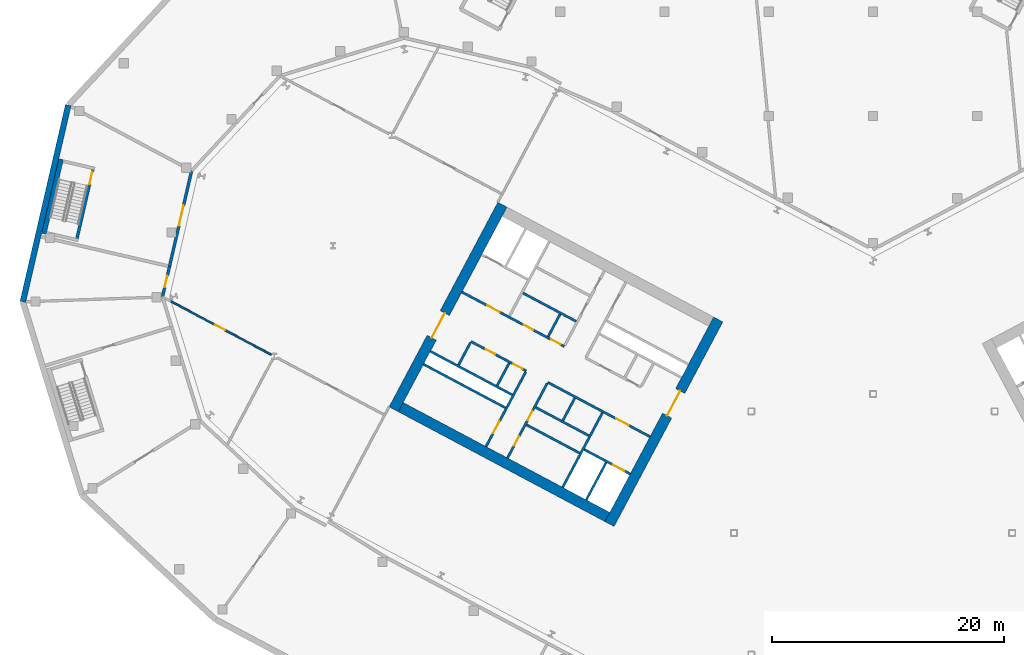
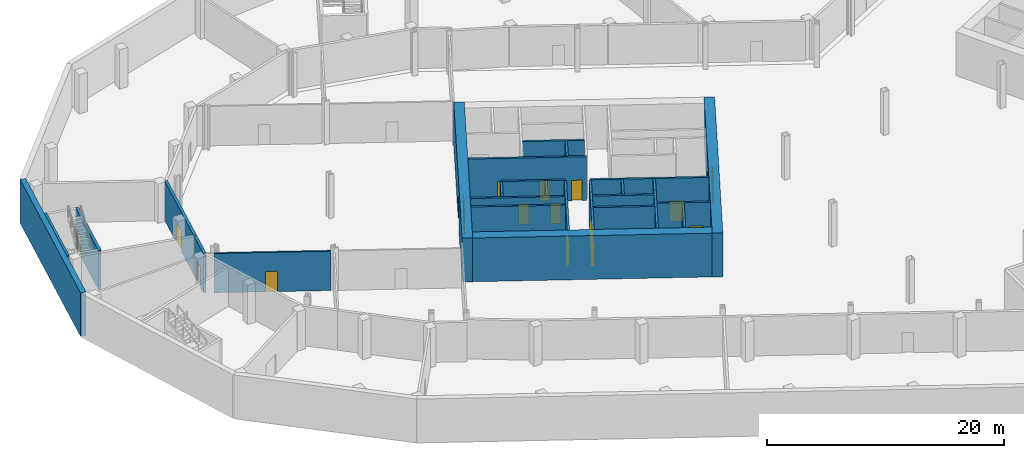
# One storey, part 9 of 27: 26 walls, 16 doors, 16 openings.
"""IFC4 building model written with IfcOpenShell, lengths in metres."""

from ifc_helpers import new_model, si_unit, direction, frame, frame_2d, origin, place, context, subcontext, project, spatial, rectangle, extrude, material, layer, layer_set, type_object, element, fill, save


model = new_model("IFC4")

# Units and contexts
model_context = context("Model", 3, precision=1e-05, world=origin(), true_north=direction((0.0, 1.0)))
body_context = subcontext(model_context, "Body", "Model", "MODEL_VIEW")
ifc_project = project(units=[si_unit("LENGTHUNIT", "METRE"), si_unit("AREAUNIT", "SQUARE_METRE"), si_unit("VOLUMEUNIT", "CUBIC_METRE"), si_unit("PLANEANGLEUNIT", "RADIAN"), si_unit("MASSUNIT", "GRAM", prefix="KILO")], contexts=[model_context])

# Site, building, storey
site_placement = place(None, origin())
site = spatial("IfcSite", under=ifc_project, at=site_placement, CompositionType="ELEMENT")
building_placement = place(site_placement, origin())
building = spatial("IfcBuilding", under=site, at=building_placement, Name="Cormorant Relay Tower", CompositionType="ELEMENT")
storey_placement = place(building_placement, frame((0.0, 0.0, -4.5)))
storey = spatial("IfcBuildingStorey", under=building, at=storey_placement, Name="B1", CompositionType="ELEMENT", Elevation=-4.5)

# Walls
ifc_material_1 = material(Name="Concrete 40 MPa", Category="concrete")
ifc_layer_1 = layer(ifc_material_1, 0.199951171875)
ifc_layer_set_1 = layer_set([ifc_layer_1], Name="Core internal wall 200")
wall_type_1 = type_object("IfcWallType", Name="Core internal wall 200", PredefinedType="SOLIDWALL", material=ifc_layer_set_1)
wall_1_placement = place(storey_placement, frame((-25.744140625, 11.64990234375, 0.0), z_axis=(0.0, 0.0, 1.0), x_axis=(-0.469487830541, -0.882938942948, 0.0)))
element("IfcWall", 1, at=wall_1_placement, inside=storey, type_object=wall_type_1, Name="B1 core A shaft and room wall", PredefinedType="SOLIDWALL", context=body_context, shape_type="SweptSolid", body=[
    extrude(rectangle(XDim=2.2001953125, YDim=0.199951171875, at=frame_2d((1.10009765625, 0.0))), origin(), (0.0, 0.0, 1.0), 4.5),
])
for number, where, z_axis, x_axis, name in (
    (2, (-27.01220703125, 18.892822265625, 0.0), (0.0, 0.0, 1.0), (-0.4694473164, -0.882960484464, 0.0), "B1 core A shaft and room wall"),
    (3, (-31.41259765625, 14.663818359375, 0.0), (0.0, 0.0, 1.0), (-0.469533832133, -0.882914480843, 0.0), "B1 core A shaft and room wall"),
):
    element("IfcWall", number, at=place(storey_placement, frame(where, z_axis=z_axis, x_axis=x_axis)), inside=storey, type_object=wall_type_1, Name=name, PredefinedType="SOLIDWALL", context=body_context, shape_type="SweptSolid", body=[
        extrude(rectangle(XDim=2.199951171875, YDim=0.199951171875, at=frame_2d((1.10009765625, 0.0))), origin(), (0.0, 0.0, 1.0), 4.5),
    ])
wall_2_placement = place(storey_placement, frame((-25.326416015625, 6.8974609375, 0.0), z_axis=(0.0, 0.0, 1.0), x_axis=(-0.882953967957, 0.469459572775, 0.0)))
element("IfcWall", 4, at=wall_2_placement, inside=storey, type_object=wall_type_1, Name="B1 core A shaft and room wall", PredefinedType="SOLIDWALL", context=body_context, shape_type="SweptSolid", body=[
    extrude(rectangle(XDim=5.199951171875, YDim=0.199951171875, at=frame_2d((2.60009765625, 0.0))), origin(), (0.0, 0.0, 1.0), 4.5),
])
ifc_material_2 = material(Name="Concrete 50 MPa", Category="concrete")
ifc_layer_2 = layer(ifc_material_2, 0.199951171875)
ifc_layer_set_2 = layer_set([ifc_layer_2], Name="Core shaft wall 200")
wall_type_2 = type_object("IfcWallType", Name="Core shaft wall 200", PredefinedType="SHEAR", material=ifc_layer_set_2)
wall_3_placement = place(storey_placement, frame((-23.04296875, 6.07958984375, 0.0), z_axis=(0.0, 0.0, 1.0), x_axis=(-0.469494272526, -0.882935517501, 0.0)))
element("IfcWall", 5, at=wall_3_placement, inside=storey, type_object=wall_type_2, Name="B1 core A shaft wall", PredefinedType="SHEAR", context=body_context, shape_type="SweptSolid", body=[
    extrude(rectangle(XDim=3.64990234375, YDim=0.199951171875, at=frame_2d((1.824951171875, 0.0))), origin(), (0.0, 0.0, 1.0), 4.5),
])
wall_4_placement = place(storey_placement, frame((-23.360107421875, 10.38232421875, 0.0), z_axis=(0.0, 0.0, 1.0), x_axis=(-0.469480409012, -0.88294288918, 0.0)))
element("IfcWall", 6, at=wall_4_placement, inside=storey, type_object=wall_type_2, Name="B1 core A shaft wall", PredefinedType="SHEAR", context=body_context, shape_type="SweptSolid", body=[
    extrude(rectangle(XDim=7.300048828125, YDim=0.199951171875, at=frame_2d((3.64990234375, 0.0))), origin(), (0.0, 0.0, 1.0), 4.5),
])

# Wall, openings, doors
wall_5_placement = place(storey_placement, frame((-28.128173828125, 12.91748046875, 0.0), z_axis=(0.0, 0.0, 1.0), x_axis=(-0.469454336211, -0.882956752176, 0.0)))
wall_5 = element("IfcWall", 7, at=wall_5_placement, inside=storey, type_object=wall_type_2, Name="B1 core A shaft wall", PredefinedType="SHEAR", context=body_context, shape_type="SweptSolid", body=[
    extrude(rectangle(XDim=7.300048828125, YDim=0.199951171875, at=frame_2d((3.64990234375, 0.0))), origin(), (0.0, 0.0, 1.0), 4.5),
])
opening_1_placement = place(wall_5_placement, frame((2.699951171875, 0.0, 0.0)))
opening_1 = element("IfcOpeningElement", 8, at=opening_1_placement, cuts=wall_5, Name="Opening CDD-025", PredefinedType="OPENING", context=body_context, shape_type="SweptSolid", body=[
    extrude(rectangle(XDim=0.89990234375, YDim=2.10009765625, at=frame_2d((0.449951171875, 1.050048828125))), frame((0.0, 0.10986328125, 0.0), z_axis=(0.0, -1.0, 0.0), x_axis=(1.0, 0.0, 0.0)), (0.0, 0.0, 1.0), 0.219970703125),
])
opening_2_placement = place(wall_5_placement, frame((5.199951171875, 0.0, 0.0)))
opening_2 = element("IfcOpeningElement", 9, at=opening_2_placement, cuts=wall_5, Name="Opening CDD-026", PredefinedType="OPENING", context=body_context, shape_type="SweptSolid", body=[
    extrude(rectangle(XDim=0.89990234375, YDim=2.10009765625, at=frame_2d((0.449951171875, 1.050048828125))), frame((0.0, 0.10986328125, 0.0), z_axis=(0.0, -1.0, 0.0), x_axis=(1.0, 0.0, 0.0)), (0.0, 0.0, 1.0), 0.219970703125),
])
ifc_material_3 = material(Name="Steel fire door", Category="steel")
door_type_1 = type_object("IfcDoorType", Name="Core room door 900x2100", OperationType="SINGLE_SWING_LEFT", PredefinedType="DOOR", material=ifc_material_3)
door_1_placement = place(opening_1_placement, origin())
door_1 = element("IfcDoor", 10, at=door_1_placement, inside=storey, type_object=door_type_1, Name="Core room door 900x2100", OperationType="SINGLE_SWING_LEFT", OverallHeight=2.10009765625, OverallWidth=0.89990234375, PredefinedType="DOOR", context=body_context, shape_type="SweptSolid", body=[
    extrude(rectangle(XDim=0.89990234375, YDim=2.10009765625, at=frame_2d((0.449951171875, 1.050048828125))), frame((0.0, 0.02490234375, 0.0), z_axis=(0.0, -1.0, 0.0), x_axis=(1.0, 0.0, 0.0)), (0.0, 0.0, 1.0), 0.050048828125),
])
fill(opening_1, door_1)
door_2_placement = place(opening_2_placement, origin())
door_2 = element("IfcDoor", 11, at=door_2_placement, inside=storey, type_object=door_type_1, Name="Core room door 900x2100", OperationType="SINGLE_SWING_LEFT", OverallHeight=2.10009765625, OverallWidth=0.89990234375, PredefinedType="DOOR", context=body_context, shape_type="SweptSolid", body=[
    extrude(rectangle(XDim=0.89990234375, YDim=2.10009765625, at=frame_2d((0.449951171875, 1.050048828125))), frame((0.0, 0.02490234375, 0.0), z_axis=(0.0, -1.0, 0.0), x_axis=(1.0, 0.0, 0.0)), (0.0, 0.0, 1.0), 0.050048828125),
])
fill(opening_2, door_2)

# Wall, opening, door
wall_6_placement = place(storey_placement, frame((-29.982421875, 13.9033203125, 0.0), z_axis=(0.0, 0.0, 1.0), x_axis=(-0.469454336211, -0.882956752176, 0.0)))
wall_6 = element("IfcWall", 12, at=wall_6_placement, inside=storey, type_object=wall_type_2, Name="B1 core A shaft wall", PredefinedType="SHEAR", context=body_context, shape_type="SweptSolid", body=[
    extrude(rectangle(XDim=7.300048828125, YDim=0.199951171875, at=frame_2d((3.64990234375, 0.0))), origin(), (0.0, 0.0, 1.0), 4.5),
])
opening_3_placement = place(wall_6_placement, frame((4.800048828125, 0.0, 0.0)))
opening_3 = element("IfcOpeningElement", 13, at=opening_3_placement, cuts=wall_6, Name="Opening CDB-002", PredefinedType="OPENING", context=body_context, shape_type="SweptSolid", body=[
    extrude(rectangle(XDim=1.199951171875, YDim=2.10009765625, at=frame_2d((0.60009765625, 1.050048828125))), frame((0.0, 0.10986328125, 0.0), z_axis=(0.0, -1.0, 0.0), x_axis=(1.0, 0.0, 0.0)), (0.0, 0.0, 1.0), 0.219970703125),
])
ifc_material_4 = material(Name="Steel fire door", Category="steel")
door_type_2 = type_object("IfcDoorType", Name="Core stair door 1200x2100", OperationType="SINGLE_SWING_LEFT", PredefinedType="DOOR", material=ifc_material_4)
door_3_placement = place(opening_3_placement, frame((1.199951171875, 0.0, 0.0), z_axis=(0.0, 0.0, 1.0), x_axis=(-1.0, 0.0, 0.0)))
door_3 = element("IfcDoor", 14, at=door_3_placement, inside=storey, type_object=door_type_2, Name="Core stair door 1200x2100", OperationType="SINGLE_SWING_RIGHT", OverallHeight=2.10009765625, OverallWidth=1.199951171875, PredefinedType="DOOR", context=body_context, shape_type="SweptSolid", body=[
    extrude(rectangle(XDim=1.199951171875, YDim=2.10009765625, at=frame_2d((0.60009765625, 1.050048828125))), frame((0.0, 0.02490234375, 0.0), z_axis=(0.0, -1.0, 0.0), x_axis=(1.0, 0.0, 0.0)), (0.0, 0.0, 1.0), 0.050048828125),
])
fill(opening_3, door_3)

# Walls
wall_7_placement = place(storey_placement, frame((-34.750244140625, 16.4384765625, 0.0), z_axis=(0.0, 0.0, 1.0), x_axis=(-0.469401318492, -0.882984938828, 0.0)))
element("IfcWall", 15, at=wall_7_placement, inside=storey, type_object=wall_type_2, Name="B1 core A shaft wall", PredefinedType="SHEAR", context=body_context, shape_type="SweptSolid", body=[
    extrude(rectangle(XDim=2.199951171875, YDim=0.199951171875, at=frame_2d((1.10009765625, 0.0))), origin(), (0.0, 0.0, 1.0), 4.5),
])
wall_8_placement = place(storey_placement, frame((-25.623046875, 18.267578125, 0.0), z_axis=(0.0, 0.0, 1.0), x_axis=(-0.882953967957, 0.469459572775, 0.0)))
element("IfcWall", 16, at=wall_8_placement, inside=storey, type_object=wall_type_2, Name="B1 core A shaft wall", PredefinedType="SHEAR", context=body_context, shape_type="SweptSolid", body=[
    extrude(rectangle(XDim=5.199951171875, YDim=0.199951171875, at=frame_2d((2.60009765625, 0.0))), origin(), (0.0, 0.0, 1.0), 4.5),
])

# Wall, openings, doors
wall_9_placement = place(storey_placement, frame((-26.66162109375, 16.1015625, 0.0), z_axis=(0.0, 0.0, 1.0), x_axis=(-0.882940221191, 0.469485426614, 0.0)))
wall_9 = element("IfcWall", 17, at=wall_9_placement, inside=storey, type_object=wall_type_2, Name="B1 core A shaft wall", PredefinedType="SHEAR", context=body_context, shape_type="SweptSolid", body=[
    extrude(rectangle(XDim=10.0, YDim=0.199951171875, at=frame_2d((5.0, 0.0))), origin(), (0.0, 0.0, 1.0), 4.5),
])
opening_4_placement = place(wall_9_placement, frame((6.300048828125, 0.0, 0.0)))
opening_4 = element("IfcOpeningElement", 18, at=opening_4_placement, cuts=wall_9, Name="Opening CDC-002", PredefinedType="OPENING", context=body_context, shape_type="SweptSolid", body=[
    extrude(rectangle(XDim=1.199951171875, YDim=2.10009765625, at=frame_2d((0.60009765625, 1.050048828125))), frame((0.0, 0.10986328125, 0.0), z_axis=(0.0, -1.0, 0.0), x_axis=(1.0, 0.0, 0.0)), (0.0, 0.0, 1.0), 0.219970703125),
])
opening_5_placement = place(wall_9_placement, frame((0.360107421875, 0.0, 0.0)))
opening_5 = element("IfcOpeningElement", 19, at=opening_5_placement, cuts=wall_9, Name="Opening CDD-023", PredefinedType="OPENING", context=body_context, shape_type="SweptSolid", body=[
    extrude(rectangle(XDim=0.89990234375, YDim=2.10009765625, at=frame_2d((0.449951171875, 1.050048828125))), frame((0.0, 0.10986328125, 0.0), z_axis=(0.0, -1.0, 0.0), x_axis=(1.0, 0.0, 0.0)), (0.0, 0.0, 1.0), 0.219970703125),
])
opening_6_placement = place(wall_9_placement, frame((3.06005859375, 0.0, 0.0)))
opening_6 = element("IfcOpeningElement", 20, at=opening_6_placement, cuts=wall_9, Name="Opening CDD-024", PredefinedType="OPENING", context=body_context, shape_type="SweptSolid", body=[
    extrude(rectangle(XDim=0.89990234375, YDim=2.10009765625, at=frame_2d((0.449951171875, 1.050048828125))), frame((0.0, 0.10986328125, 0.0), z_axis=(0.0, -1.0, 0.0), x_axis=(1.0, 0.0, 0.0)), (0.0, 0.0, 1.0), 0.219970703125),
])
ifc_material_5 = material(Name="Steel fire door", Category="steel")
door_type_3 = type_object("IfcDoorType", Name="Core lobby door 1200x2100", OperationType="SINGLE_SWING_LEFT", PredefinedType="DOOR", material=ifc_material_5)
door_4_placement = place(opening_4_placement, frame((1.199951171875, 0.0, 0.0), z_axis=(0.0, 0.0, 1.0), x_axis=(-1.0, 0.0, 0.0)))
door_4 = element("IfcDoor", 21, at=door_4_placement, inside=storey, type_object=door_type_3, Name="Core lobby door 1200x2100", OperationType="SINGLE_SWING_RIGHT", OverallHeight=2.10009765625, OverallWidth=1.199951171875, PredefinedType="DOOR", context=body_context, shape_type="SweptSolid", body=[
    extrude(rectangle(XDim=1.199951171875, YDim=2.10009765625, at=frame_2d((0.60009765625, 1.050048828125))), frame((0.0, 0.02490234375, 0.0), z_axis=(0.0, -1.0, 0.0), x_axis=(1.0, 0.0, 0.0)), (0.0, 0.0, 1.0), 0.050048828125),
])
fill(opening_4, door_4)
door_5_placement = place(opening_5_placement, frame((0.89990234375, 0.0, 0.0), z_axis=(0.0, 0.0, 1.0), x_axis=(-1.0, 0.0, 0.0)))
door_5 = element("IfcDoor", 22, at=door_5_placement, inside=storey, type_object=door_type_1, Name="Core room door 900x2100", OperationType="SINGLE_SWING_RIGHT", OverallHeight=2.10009765625, OverallWidth=0.89990234375, PredefinedType="DOOR", context=body_context, shape_type="SweptSolid", body=[
    extrude(rectangle(XDim=0.89990234375, YDim=2.10009765625, at=frame_2d((0.449951171875, 1.050048828125))), frame((0.0, 0.02490234375, 0.0), z_axis=(0.0, -1.0, 0.0), x_axis=(1.0, 0.0, 0.0)), (0.0, 0.0, 1.0), 0.050048828125),
])
fill(opening_5, door_5)
door_6_placement = place(opening_6_placement, frame((0.89990234375, 0.0, 0.0), z_axis=(0.0, 0.0, 1.0), x_axis=(-1.0, 0.0, 0.0)))
door_6 = element("IfcDoor", 23, at=door_6_placement, inside=storey, type_object=door_type_1, Name="Core room door 900x2100", OperationType="SINGLE_SWING_RIGHT", OverallHeight=2.10009765625, OverallWidth=0.89990234375, PredefinedType="DOOR", context=body_context, shape_type="SweptSolid", body=[
    extrude(rectangle(XDim=0.89990234375, YDim=2.10009765625, at=frame_2d((0.449951171875, 1.050048828125))), frame((0.0, 0.02490234375, 0.0), z_axis=(0.0, -1.0, 0.0), x_axis=(1.0, 0.0, 0.0)), (0.0, 0.0, 1.0), 0.050048828125),
])
fill(opening_6, door_6)

# Wall, opening, door
wall_10_placement = place(storey_placement, frame((-19.251708984375, 8.31103515625, 0.0), z_axis=(0.0, 0.0, 1.0), x_axis=(-0.882955722218, 0.469456273365, 0.0)))
wall_10 = element("IfcWall", 24, at=wall_10_placement, inside=storey, type_object=wall_type_2, Name="B1 core A shaft wall", PredefinedType="SHEAR", context=body_context, shape_type="SweptSolid", body=[
    extrude(rectangle(XDim=10.0, YDim=0.199951171875, at=frame_2d((5.0, 0.0))), origin(), (0.0, 0.0, 1.0), 4.5),
])
opening_7_placement = place(wall_10_placement, frame((2.10009765625, 0.0, 0.0)))
opening_7 = element("IfcOpeningElement", 25, at=opening_7_placement, cuts=wall_10, Name="Opening CDC-001", PredefinedType="OPENING", context=body_context, shape_type="SweptSolid", body=[
    extrude(rectangle(XDim=1.199951171875, YDim=2.10009765625, at=frame_2d((0.60009765625, 1.050048828125))), frame((0.0, 0.10986328125, 0.0), z_axis=(0.0, -1.0, 0.0), x_axis=(1.0, 0.0, 0.0)), (0.0, 0.0, 1.0), 0.219970703125),
])
door_7_placement = place(opening_7_placement, origin())
door_7 = element("IfcDoor", 26, at=door_7_placement, inside=storey, type_object=door_type_3, Name="Core lobby door 1200x2100", OperationType="SINGLE_SWING_RIGHT", OverallHeight=2.10009765625, OverallWidth=1.199951171875, PredefinedType="DOOR", context=body_context, shape_type="SweptSolid", body=[
    extrude(rectangle(XDim=1.199951171875, YDim=2.10009765625, at=frame_2d((0.60009765625, 1.050048828125))), frame((0.0, 0.02490234375, 0.0), z_axis=(0.0, -1.0, 0.0), x_axis=(1.0, 0.0, 0.0)), (0.0, 0.0, 1.0), 0.050048828125),
])
fill(opening_7, door_7)

# Wall, openings, doors
wall_11_placement = place(storey_placement, frame((-29.935302734375, 13.991455078125, 0.0), z_axis=(0.0, 0.0, 1.0), x_axis=(-0.882952937579, 0.469461510692, 0.0)))
wall_11 = element("IfcWall", 27, at=wall_11_placement, inside=storey, type_object=wall_type_2, Name="B1 core A shaft wall", PredefinedType="SHEAR", context=body_context, shape_type="SweptSolid", body=[
    extrude(rectangle(XDim=5.400146484375, YDim=0.199951171875, at=frame_2d((2.7001953125, 0.0))), origin(), (0.0, 0.0, 1.0), 4.5),
])
opening_8_placement = place(wall_11_placement, frame((0.360107421875, 0.0, 0.0)))
opening_8 = element("IfcOpeningElement", 28, at=opening_8_placement, cuts=wall_11, Name="Opening CDD-019", PredefinedType="OPENING", context=body_context, shape_type="SweptSolid", body=[
    extrude(rectangle(XDim=0.89990234375, YDim=2.10009765625, at=frame_2d((0.449951171875, 1.050048828125))), frame((0.0, 0.10986328125, 0.0), z_axis=(0.0, -1.0, 0.0), x_axis=(1.0, 0.0, 0.0)), (0.0, 0.0, 1.0), 0.219970703125),
])
opening_9_placement = place(wall_11_placement, frame((3.06005859375, 0.0, 0.0)))
opening_9 = element("IfcOpeningElement", 29, at=opening_9_placement, cuts=wall_11, Name="Opening CDD-020", PredefinedType="OPENING", context=body_context, shape_type="SweptSolid", body=[
    extrude(rectangle(XDim=0.89990234375, YDim=2.10009765625, at=frame_2d((0.449951171875, 1.050048828125))), frame((0.0, 0.10986328125, 0.0), z_axis=(0.0, -1.0, 0.0), x_axis=(1.0, 0.0, 0.0)), (0.0, 0.0, 1.0), 0.219970703125),
])
door_8_placement = place(opening_8_placement, origin())
door_8 = element("IfcDoor", 30, at=door_8_placement, inside=storey, type_object=door_type_1, Name="Core room door 900x2100", OperationType="SINGLE_SWING_LEFT", OverallHeight=2.10009765625, OverallWidth=0.89990234375, PredefinedType="DOOR", context=body_context, shape_type="SweptSolid", body=[
    extrude(rectangle(XDim=0.89990234375, YDim=2.10009765625, at=frame_2d((0.449951171875, 1.050048828125))), frame((0.0, 0.02490234375, 0.0), z_axis=(0.0, -1.0, 0.0), x_axis=(1.0, 0.0, 0.0)), (0.0, 0.0, 1.0), 0.050048828125),
])
fill(opening_8, door_8)
door_9_placement = place(opening_9_placement, origin())
door_9 = element("IfcDoor", 31, at=door_9_placement, inside=storey, type_object=door_type_1, Name="Core room door 900x2100", OperationType="SINGLE_SWING_LEFT", OverallHeight=2.10009765625, OverallWidth=0.89990234375, PredefinedType="DOOR", context=body_context, shape_type="SweptSolid", body=[
    extrude(rectangle(XDim=0.89990234375, YDim=2.10009765625, at=frame_2d((0.449951171875, 1.050048828125))), frame((0.0, 0.02490234375, 0.0), z_axis=(0.0, -1.0, 0.0), x_axis=(1.0, 0.0, 0.0)), (0.0, 0.0, 1.0), 0.050048828125),
])
fill(opening_9, door_9)

# Walls
wall_12_placement = place(storey_placement, frame((-24.5283203125, 8.3984375, 0.0), z_axis=(0.0, 0.0, 1.0), x_axis=(-0.882953967957, 0.469459572775, 0.0)))
element("IfcWall", 32, at=wall_12_placement, inside=storey, type_object=wall_type_2, Name="B1 core A shaft wall", PredefinedType="SHEAR", context=body_context, shape_type="SweptSolid", body=[
    extrude(rectangle(XDim=5.199951171875, YDim=0.199951171875, at=frame_2d((2.60009765625, 0.0))), origin(), (0.0, 0.0, 1.0), 4.5),
])
wall_13_placement = place(storey_placement, frame((-31.150390625, 11.91943359375, 0.0), z_axis=(0.0, 0.0, 1.0), x_axis=(-0.882940221191, 0.469485426614, 0.0)))
element("IfcWall", 33, at=wall_13_placement, inside=storey, type_object=wall_type_2, Name="B1 core A shaft wall", PredefinedType="SHEAR", context=body_context, shape_type="SweptSolid", body=[
    extrude(rectangle(XDim=8.0, YDim=0.199951171875, at=frame_2d((4.0, 0.0))), origin(), (0.0, 0.0, 1.0), 4.5),
])

# Wall, opening, door
wall_14_placement = place(storey_placement, frame((-20.96533203125, 5.088134765625, 0.0), z_axis=(0.0, 0.0, 1.0), x_axis=(-0.882925986334, 0.469512196493, 0.0)))
wall_14 = element("IfcWall", 34, at=wall_14_placement, inside=storey, type_object=wall_type_2, Name="B1 core A shaft wall", PredefinedType="SHEAR", context=body_context, shape_type="SweptSolid", body=[
    extrude(rectangle(XDim=4.5, YDim=0.199951171875, at=frame_2d((2.25, 0.0))), origin(), (0.0, 0.0, 1.0), 4.5),
])
opening_10_placement = place(wall_14_placement, frame((0.60009765625, 0.0, 0.0)))
opening_10 = element("IfcOpeningElement", 35, at=opening_10_placement, cuts=wall_14, Name="Opening LD1-001", PredefinedType="OPENING", context=body_context, shape_type="SweptSolid", body=[
    extrude(rectangle(XDim=1.10009765625, YDim=2.10009765625, at=frame_2d((0.550048828125, 1.050048828125))), frame((0.0, 0.10986328125, 0.0), z_axis=(0.0, -1.0, 0.0), x_axis=(1.0, 0.0, 0.0)), (0.0, 0.0, 1.0), 0.219970703125),
])
ifc_material_6 = material(Name="Stainless steel 316", Category="steel")
door_type_4 = type_object("IfcDoorType", Name="Lift landing door 1100x2100", OperationType="DOUBLE_DOOR_SLIDING", PredefinedType="DOOR", material=ifc_material_6)
door_10_placement = place(opening_10_placement, origin())
door_10 = element("IfcDoor", 36, at=door_10_placement, inside=storey, type_object=door_type_4, Name="FF1 landing door", OperationType="DOUBLE_DOOR_SLIDING", OverallHeight=2.10009765625, OverallWidth=1.10009765625, PredefinedType="DOOR", context=body_context, shape_type="SweptSolid", body=[
    extrude(rectangle(XDim=1.10009765625, YDim=2.10009765625, at=frame_2d((0.550048828125, 1.050048828125))), frame((0.0, 0.02490234375, 0.0), z_axis=(0.0, -1.0, 0.0), x_axis=(1.0, 0.0, 0.0)), (0.0, 0.0, 1.0), 0.050048828125),
])
fill(opening_10, door_10)

# Wall
wall_15_placement = place(storey_placement, frame((-31.7373046875, 10.815673828125, 0.0), z_axis=(0.0, 0.0, 1.0), x_axis=(-0.882940221191, 0.469485426614, 0.0)))
element("IfcWall", 37, at=wall_15_placement, inside=storey, type_object=wall_type_2, Name="B1 core A shaft wall", PredefinedType="SHEAR", context=body_context, shape_type="SweptSolid", body=[
    extrude(rectangle(XDim=8.0, YDim=0.199951171875, at=frame_2d((4.0, 0.0))), origin(), (0.0, 0.0, 1.0), 4.5),
])

# Wall, opening, door
ifc_material_7 = material(Name="Concrete 70 MPa", Category="concrete")
ifc_layer_3 = layer(ifc_material_7, 0.89990234375)
ifc_layer_set_3 = layer_set([ifc_layer_3], Name="Core wall 900")
wall_type_3 = type_object("IfcWallType", Name="Core wall 900", PredefinedType="SHEAR", material=ifc_layer_set_3)
wall_16_placement = place(storey_placement, frame((-13.361572265625, 18.43017578125, 0.0), z_axis=(0.0, 0.0, 1.0), x_axis=(-0.46947084998, -0.882947971864, 0.0)))
wall_16 = element("IfcWall", 38, at=wall_16_placement, inside=storey, type_object=wall_type_3, Name="B1 core A wall", PredefinedType="SHEAR", context=body_context, shape_type="SweptSolid", body=[
    extrude(rectangle(XDim=20.0, YDim=0.89990234375, at=frame_2d((10.0, 0.0))), origin(), (0.0, 0.0, 1.0), 4.5),
])
opening_11_placement = place(wall_16_placement, frame((7.0, 0.0, 0.0)))
opening_11 = element("IfcOpeningElement", 39, at=opening_11_placement, cuts=wall_16, Name="Opening CDA-001", PredefinedType="OPENING", context=body_context, shape_type="SweptSolid", body=[
    extrude(rectangle(XDim=2.39990234375, YDim=2.39990234375, at=frame_2d((1.199951171875, 1.199951171875))), frame((0.0, 0.4599609375, 0.0), z_axis=(0.0, -1.0, 0.0), x_axis=(1.0, 0.0, 0.0)), (0.0, 0.0, 1.0), 0.919921875),
])
ifc_material_8 = material(Name="Steel fire door", Category="steel")
door_type_5 = type_object("IfcDoorType", Name="Core lobby door 2400x2400", OperationType="DOUBLE_DOOR_SINGLE_SWING", PredefinedType="DOOR", material=ifc_material_8)
door_11_placement = place(opening_11_placement, frame((2.39990234375, 0.0, 0.0), z_axis=(0.0, 0.0, 1.0), x_axis=(-1.0, 0.0, 0.0)))
door_11 = element("IfcDoor", 40, at=door_11_placement, inside=storey, type_object=door_type_5, Name="Core lobby door 2400x2400", OperationType="DOUBLE_DOOR_SINGLE_SWING", OverallHeight=2.39990234375, OverallWidth=2.39990234375, PredefinedType="DOOR", context=body_context, shape_type="SweptSolid", body=[
    extrude(rectangle(XDim=2.39990234375, YDim=2.39990234375, at=frame_2d((1.199951171875, 1.199951171875))), frame((0.0, 0.02490234375, 0.0), z_axis=(0.0, -1.0, 0.0), x_axis=(1.0, 0.0, 0.0)), (0.0, 0.0, 1.0), 0.050048828125),
])
fill(opening_11, door_11)

wall_17_placement = place(storey_placement, frame((-31.99169921875, 28.3359375, 0.0), z_axis=(0.0, 0.0, 1.0), x_axis=(-0.46947084998, -0.882947971864, 0.0)))
wall_17 = element("IfcWall", 41, at=wall_17_placement, inside=storey, type_object=wall_type_3, Name="B1 core A wall", PredefinedType="SHEAR", context=body_context, shape_type="SweptSolid", body=[
    extrude(rectangle(XDim=20.0, YDim=0.89990234375, at=frame_2d((10.0, 0.0))), origin(), (0.0, 0.0, 1.0), 4.5),
])
opening_12_placement = place(wall_17_placement, frame((10.60009765625, 0.0, 0.0)))
opening_12 = element("IfcOpeningElement", 42, at=opening_12_placement, cuts=wall_17, Name="Opening CDA-002", PredefinedType="OPENING", context=body_context, shape_type="SweptSolid", body=[
    extrude(rectangle(XDim=2.39990234375, YDim=2.39990234375, at=frame_2d((1.199951171875, 1.199951171875))), frame((0.0, 0.4599609375, 0.0), z_axis=(0.0, -1.0, 0.0), x_axis=(1.0, 0.0, 0.0)), (0.0, 0.0, 1.0), 0.919921875),
])
door_12_placement = place(opening_12_placement, origin())
door_12 = element("IfcDoor", 43, at=door_12_placement, inside=storey, type_object=door_type_5, Name="Core lobby door 2400x2400", OperationType="DOUBLE_DOOR_SINGLE_SWING", OverallHeight=2.39990234375, OverallWidth=2.39990234375, PredefinedType="DOOR", context=body_context, shape_type="SweptSolid", body=[
    extrude(rectangle(XDim=2.39990234375, YDim=2.39990234375, at=frame_2d((1.199951171875, 1.199951171875))), frame((0.0, 0.02490234375, 0.0), z_axis=(0.0, -1.0, 0.0), x_axis=(1.0, 0.0, 0.0)), (0.0, 0.0, 1.0), 0.050048828125),
])
fill(opening_12, door_12)

# Wall
wall_18_placement = place(storey_placement, frame((-22.93701171875, 1.3798828125, 0.0), z_axis=(0.0, 0.0, 1.0), x_axis=(-0.88295276571, 0.46946183394, 0.0)))
element("IfcWall", 44, at=wall_18_placement, inside=storey, type_object=wall_type_3, Name="B1 core A wall", PredefinedType="SHEAR", context=body_context, shape_type="SweptSolid", body=[
    extrude(rectangle(XDim=20.199951171875, YDim=0.89990234375, at=frame_2d((10.10009765625, 0.0))), origin(), (0.0, 0.0, 1.0), 4.5),
])

# Wall, opening, door
ifc_material_9 = material(Name="Concrete masonry 20 MPa", Category="masonry")
ifc_layer_4 = layer(ifc_material_9, 0.25)
ifc_layer_set_4 = layer_set([ifc_layer_4], Name="Fire separation wall 250")
wall_type_4 = type_object("IfcWallType", Name="Fire separation wall 250", PredefinedType="SOLIDWALL", material=ifc_layer_set_4)
wall_19_placement = place(storey_placement, frame((-60.7314453125, 23.010498046875, 0.0), z_axis=(0.0, 0.0, 1.0), x_axis=(0.225176723851, 0.974317937347, 0.0)))
wall_19 = element("IfcWall", 45, at=wall_19_placement, inside=storey, type_object=wall_type_4, Name="Partition", PredefinedType="SOLIDWALL", context=body_context, shape_type="SweptSolid", body=[
    extrude(rectangle(XDim=8.4873046875, YDim=0.25, at=frame_2d((4.24365234375, 0.0))), origin(), (0.0, 0.0, 1.0), 4.050048828125),
])
opening_13_placement = place(wall_19_placement, frame((3.593994140625, 0.0, 0.0)))
opening_13 = element("IfcOpeningElement", 46, at=opening_13_placement, cuts=wall_19, Name="Opening PD3-007", PredefinedType="OPENING", context=body_context, shape_type="SweptSolid", body=[
    extrude(rectangle(XDim=1.800048828125, YDim=2.10009765625, at=frame_2d((0.89990234375, 1.050048828125))), frame((0.0, 0.135009765625, 0.0), z_axis=(0.0, -1.0, 0.0), x_axis=(1.0, 0.0, 0.0)), (0.0, 0.0, 1.0), 0.27001953125),
])
ifc_material_10 = material(Name="Steel door leaf", Category="steel")
door_type_6 = type_object("IfcDoorType", Name="Door double 1800", OperationType="DOUBLE_DOOR_SINGLE_SWING", PredefinedType="DOOR", material=ifc_material_10)
door_13_placement = place(opening_13_placement, origin())
door_13 = element("IfcDoor", 47, at=door_13_placement, inside=storey, type_object=door_type_6, Name="Door", OperationType="DOUBLE_DOOR_SINGLE_SWING", OverallHeight=2.10009765625, OverallWidth=1.800048828125, PredefinedType="DOOR", context=body_context, shape_type="SweptSolid", body=[
    extrude(rectangle(XDim=1.800048828125, YDim=2.10009765625, at=frame_2d((0.89990234375, 1.050048828125))), frame((0.0, 0.02490234375, 0.0), z_axis=(0.0, -1.0, 0.0), x_axis=(1.0, 0.0, 0.0)), (0.0, 0.0, 1.0), 0.050048828125),
])
fill(opening_13, door_13)

wall_20_placement = place(storey_placement, frame((-61.338134765625, 20.38232421875, 0.0), z_axis=(0.0, 0.0, 1.0), x_axis=(0.224998426256, 0.974359126905, 0.0)))
wall_20 = element("IfcWall", 48, at=wall_20_placement, inside=storey, type_object=wall_type_4, Name="Partition", PredefinedType="SOLIDWALL", context=body_context, shape_type="SweptSolid", body=[
    extrude(rectangle(XDim=2.6953125, YDim=0.25, at=frame_2d((1.34765625, 0.0))), origin(), (0.0, 0.0, 1.0), 4.050048828125),
])
opening_14_placement = place(wall_20_placement, frame((0.847900390625, 0.0, 0.0)))
opening_14 = element("IfcOpeningElement", 49, at=opening_14_placement, cuts=wall_20, Name="Opening PD1-041", PredefinedType="OPENING", context=body_context, shape_type="SweptSolid", body=[
    extrude(rectangle(XDim=1.0, YDim=2.10009765625, at=frame_2d((0.5, 1.050048828125))), frame((0.0, 0.135009765625, 0.0), z_axis=(0.0, -1.0, 0.0), x_axis=(1.0, 0.0, 0.0)), (0.0, 0.0, 1.0), 0.27001953125),
])
ifc_material_11 = material(Name="Steel door leaf", Category="steel")
door_type_7 = type_object("IfcDoorType", Name="Door single 1000", OperationType="SINGLE_SWING_LEFT", PredefinedType="DOOR", material=ifc_material_11)
door_14_placement = place(opening_14_placement, origin())
door_14 = element("IfcDoor", 50, at=door_14_placement, inside=storey, type_object=door_type_7, Name="Door", OperationType="SINGLE_SWING_RIGHT", OverallHeight=2.10009765625, OverallWidth=1.0, PredefinedType="DOOR", context=body_context, shape_type="SweptSolid", body=[
    extrude(rectangle(XDim=1.0, YDim=2.10009765625, at=frame_2d((0.5, 1.050048828125))), frame((0.0, 0.02490234375, 0.0), z_axis=(0.0, -1.0, 0.0), x_axis=(1.0, 0.0, 0.0)), (0.0, 0.0, 1.0), 0.050048828125),
])
fill(opening_14, door_14)

wall_21_placement = place(storey_placement, frame((-67.2900390625, 31.6103515625, 0.0), z_axis=(0.0, 0.0, 1.0), x_axis=(-0.224940552999, -0.974372489152, 0.0)))
wall_21 = element("IfcWall", 51, at=wall_21_placement, inside=storey, type_object=wall_type_4, Name="Stair enclosure wall", PredefinedType="SOLIDWALL", context=body_context, shape_type="SweptSolid", body=[
    extrude(rectangle(XDim=6.60009765625, YDim=0.25, at=frame_2d((3.300048828125, 0.0))), origin(), (0.0, 0.0, 1.0), 4.050048828125),
])
opening_15_placement = place(wall_21_placement, frame((0.449951171875, 0.0, 0.0)))
opening_15 = element("IfcOpeningElement", 52, at=opening_15_placement, cuts=wall_21, Name="Opening PD10-007", PredefinedType="OPENING", context=body_context, shape_type="SweptSolid", body=[
    extrude(rectangle(XDim=1.10009765625, YDim=2.10009765625, at=frame_2d((0.550048828125, 1.050048828125))), frame((0.0, 0.135009765625, 0.0), z_axis=(0.0, -1.0, 0.0), x_axis=(1.0, 0.0, 0.0)), (0.0, 0.0, 1.0), 0.27001953125),
])
ifc_material_12 = material(Name="Steel fire door leaf", Category="steel")
door_type_8 = type_object("IfcDoorType", Name="Door stair 1100", OperationType="SINGLE_SWING_LEFT", PredefinedType="DOOR", material=ifc_material_12)
door_15_placement = place(opening_15_placement, origin())
door_15 = element("IfcDoor", 53, at=door_15_placement, inside=storey, type_object=door_type_8, Name="Stair door", OperationType="SINGLE_SWING_RIGHT", OverallHeight=2.10009765625, OverallWidth=1.10009765625, PredefinedType="DOOR", context=body_context, shape_type="SweptSolid", body=[
    extrude(rectangle(XDim=1.10009765625, YDim=2.10009765625, at=frame_2d((0.550048828125, 1.050048828125))), frame((0.0, 0.02490234375, 0.0), z_axis=(0.0, -1.0, 0.0), x_axis=(1.0, 0.0, 0.0)), (0.0, 0.0, 1.0), 0.050048828125),
])
fill(opening_15, door_15)

ifc_material_13 = material(Name="Gypsum board on steel stud", Category="steel")
ifc_layer_5 = layer(ifc_material_13, 0.14990234375)
ifc_layer_set_5 = layer_set([ifc_layer_5], Name="Partition 150")
wall_type_5 = type_object("IfcWallType", Name="Partition 150", PredefinedType="PARTITIONING", material=ifc_layer_set_5)
wall_22_placement = place(storey_placement, frame((-60.63232421875, 20.007080078125, 0.0), z_axis=(0.0, 0.0, 1.0), x_axis=(0.882940733586, -0.469484462975, 0.0)))
wall_22 = element("IfcWall", 54, at=wall_22_placement, inside=storey, type_object=wall_type_5, Name="Partition", PredefinedType="PARTITIONING", context=body_context, shape_type="SweptSolid", body=[
    extrude(rectangle(XDim=9.830322265625, YDim=0.14990234375, at=frame_2d((4.9150390625, 0.0))), origin(), (0.0, 0.0, 1.0), 4.050048828125),
])
opening_16_placement = place(wall_22_placement, frame((4.3369140625, 0.0, 0.0)))
opening_16 = element("IfcOpeningElement", 55, at=opening_16_placement, cuts=wall_22, Name="Opening PD1-044", PredefinedType="OPENING", context=body_context, shape_type="SweptSolid", body=[
    extrude(rectangle(XDim=1.0, YDim=2.10009765625, at=frame_2d((0.5, 1.050048828125))), frame((0.0, 0.0849609375, 0.0), z_axis=(0.0, -1.0, 0.0), x_axis=(1.0, 0.0, 0.0)), (0.0, 0.0, 1.0), 0.169921875),
])
door_16_placement = place(opening_16_placement, frame((1.0, 0.0, 0.0), z_axis=(0.0, 0.0, 1.0), x_axis=(-1.0, 0.0, 0.0)))
door_16 = element("IfcDoor", 56, at=door_16_placement, inside=storey, type_object=door_type_7, Name="Door", OperationType="SINGLE_SWING_LEFT", OverallHeight=2.10009765625, OverallWidth=1.0, PredefinedType="DOOR", context=body_context, shape_type="SweptSolid", body=[
    extrude(rectangle(XDim=1.0, YDim=2.10009765625, at=frame_2d((0.5, 1.050048828125))), frame((0.0, 0.02490234375, 0.0), z_axis=(0.0, -1.0, 0.0), x_axis=(1.0, 0.0, 0.0)), (0.0, 0.0, 1.0), 0.050048828125),
])
fill(opening_16, door_16)

# Walls
ifc_material_14 = material(Name="Concrete 40 MPa", Category="concrete")
ifc_layer_6 = layer(ifc_material_14, 0.5)
ifc_layer_set_6 = layer_set([ifc_layer_6], Name="Retaining wall 500")
wall_type_6 = type_object("IfcWallType", Name="Retaining wall 500", PredefinedType="SOLIDWALL", material=ifc_layer_set_6)
wall_23_placement = place(storey_placement, frame((-69.47216796875, 36.93896484375, 0.0), z_axis=(0.0, 0.0, 1.0), x_axis=(-0.224954614378, -0.97436924288, 0.0)))
element("IfcWall", 57, at=wall_23_placement, inside=storey, type_object=wall_type_6, Name="Retaining wall", PredefinedType="SOLIDWALL", context=body_context, shape_type="SweptSolid", body=[
    extrude(rectangle(XDim=17.43505859375, YDim=0.5, at=frame_2d((8.717529296875, 0.0))), origin(), (0.0, 0.0, 1.0), 4.5),
])
ifc_material_15 = material(Name="Concrete 40 MPa", Category="concrete")
ifc_layer_7 = layer(ifc_material_15, 0.39990234375)
ifc_layer_set_7 = layer_set([ifc_layer_7], Name="Stair furring wall 400")
wall_type_7 = type_object("IfcWallType", Name="Stair furring wall 400", PredefinedType="SOLIDWALL", material=ifc_layer_set_7)
wall_24_placement = place(storey_placement, frame((-70.09130859375, 32.257080078125, 0.0), z_axis=(0.0, 0.0, 1.0), x_axis=(-0.224948660756, -0.974370617385, 0.0)))
element("IfcWall", 58, at=wall_24_placement, inside=storey, type_object=wall_type_7, Name="Stair furring wall", PredefinedType="SOLIDWALL", context=body_context, shape_type="SweptSolid", body=[
    extrude(rectangle(XDim=6.599853515625, YDim=0.39990234375, at=frame_2d((3.2998046875, 0.0))), origin(), (0.0, 0.0, 1.0), 4.050048828125),
])

save(model, "model.ifc")
